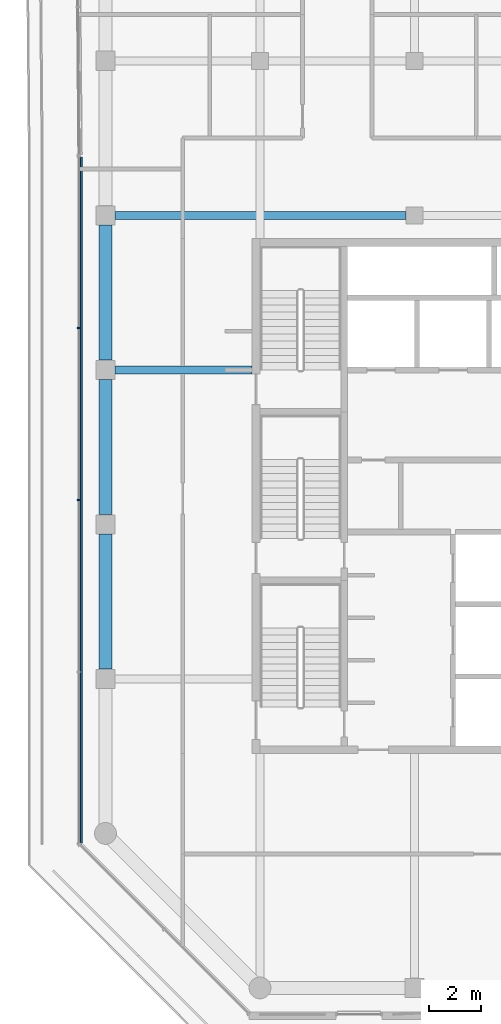
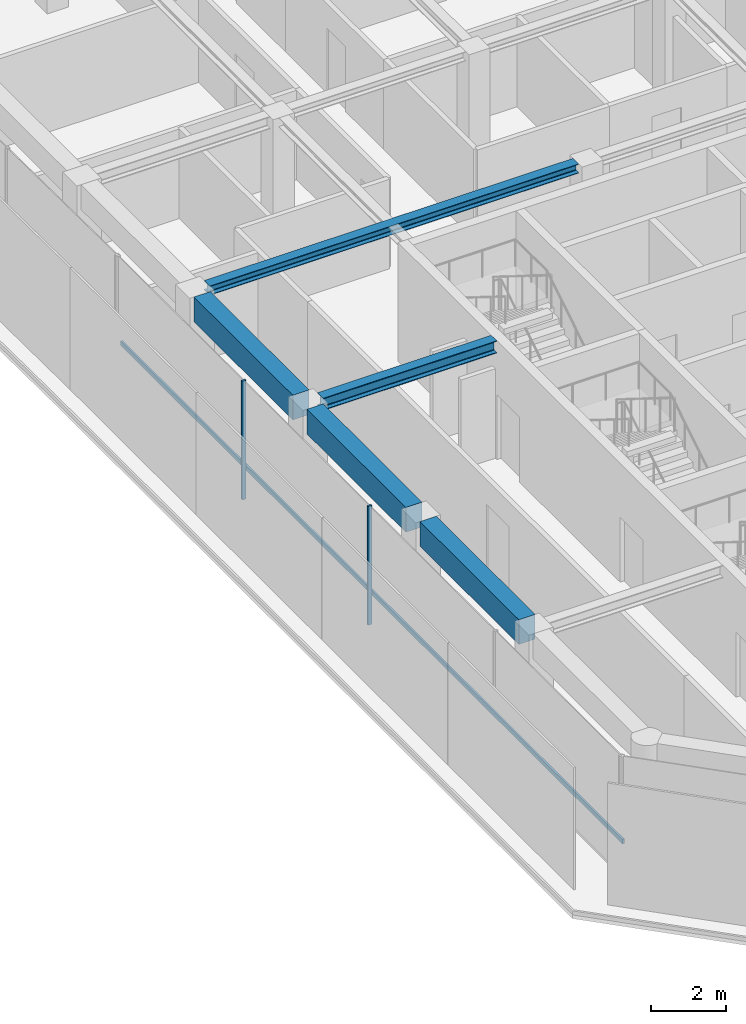
# One storey, part 4 of 18: 5 beams, 3 members, 1 element without a shape of its own.
"""IFC4 building model written with IfcOpenShell, lengths in metres."""

from ifc_helpers import new_model, si_unit, direction, frame, origin, origin_2d, place, context, subcontext, project, spatial, rectangle, i_section, extrude, material, layer, layer_set, material_profile, profile_set, type_object, element, aggregate, save


model = new_model("IFC4")

# Units and contexts
model_context = context("Model", 3, precision=1e-05, world=origin(), true_north=direction((0.0, 1.0)))
body_context = subcontext(model_context, "Body", "Model", "MODEL_VIEW")
ifc_project = project(units=[si_unit("LENGTHUNIT", "METRE"), si_unit("AREAUNIT", "SQUARE_METRE"), si_unit("VOLUMEUNIT", "CUBIC_METRE"), si_unit("PLANEANGLEUNIT", "RADIAN"), si_unit("MASSUNIT", "GRAM", prefix="KILO")], contexts=[model_context])

# Site, building, storey
site_placement = place(None, origin())
site = spatial("IfcSite", under=ifc_project, at=site_placement, CompositionType="ELEMENT")
building_placement = place(site_placement, origin())
building = spatial("IfcBuilding", under=site, at=building_placement, Name="Welwitschia Terrace Campus", CompositionType="ELEMENT")
storey_placement = place(building_placement, frame((0.0, 0.0, 289.39990234375)))
storey = spatial("IfcBuildingStorey", under=building, at=storey_placement, Name="L64", CompositionType="ELEMENT", Elevation=289.39990234375)

# Beam
ifc_material_1 = material(Name="Steel S355", Category="steel")
ifc_material_profile_1 = material_profile(ifc_material_1, i_section(OverallWidth=0.300048828125, OverallDepth=0.300048828125, WebThickness=0.010986328125, FlangeThickness=0.01904296875, FilletRadius=0.027099609375, at=origin_2d()))
ifc_profile_set_1 = profile_set([ifc_material_profile_1], Name="Steel S355")
beam_type_1 = type_object("IfcBeamType", Name="Interior girder HE 300 B", PredefinedType="BEAM", material=ifc_profile_set_1)
beam_1_placement = place(storey_placement, frame((0.365478515625, 26.0, 3.7001953125), z_axis=(1.0, 0.0, 0.0), x_axis=(0.0, 1.0, 0.0)))
element("IfcBeam", 1, at=beam_1_placement, inside=storey, type_object=beam_type_1, Name="Girder GB6", PredefinedType="BEAM", context=body_context, shape_type="SweptSolid", body=[
    extrude(i_section(OverallWidth=0.300048828125, OverallDepth=0.300048828125, WebThickness=0.010986328125, FlangeThickness=0.01904296875, FilletRadius=0.027099609375, at=origin_2d()), origin(), (0.0, 0.0, 1.0), 11.30908203125),
])

# Curtain wall, members
ifc_material_2 = material(Name="Bronze anodised aluminium", Category="aluminium")
ifc_layer = layer(ifc_material_2, 0.1201171875)
ifc_layer_set = layer_set([ifc_layer], Name="Bronze anodised aluminium")
curtain_wall_type = type_object("IfcCurtainWallType", Name="Curtain wall CW2 tower 6000", PredefinedType="NOTDEFINED", material=ifc_layer_set)
curtain_wall_placement = place(storey_placement, origin())
curtain_wall = element("IfcCurtainWall", 2, at=curtain_wall_placement, inside=storey, type_object=curtain_wall_type, Name="CW L64.1.0", PredefinedType="NOTDEFINED")
ifc_material_3 = material(Name="Bronze anodised aluminium", Category="aluminium")
ifc_material_profile_2 = material_profile(ifc_material_3, rectangle(XDim=0.1201171875, YDim=0.06005859375, at=origin_2d()))
ifc_profile_set_2 = profile_set([ifc_material_profile_2], Name="Bronze anodised aluminium")
member_type_1 = type_object("IfcMemberType", Name="Mullion 60x120", PredefinedType="MULLION", material=ifc_profile_set_2)
member_1_placement = place(storey_placement, frame((-1.030029296875, 21.63525390625, 0.0), z_axis=(0.0, 0.0, 1.0), x_axis=(1.0, 0.0, 0.0)))
member_1 = element("IfcMember", 3, at=member_1_placement, type_object=member_type_1, Name="Mullion L64.1.0.1", PredefinedType="MULLION", context=body_context, shape_type="SweptSolid", body=[
    extrude(rectangle(XDim=0.1201171875, YDim=0.06005859375, at=origin_2d()), origin(), (0.0, 0.0, 1.0), 3.85009765625),
])
member_2_placement = place(storey_placement, frame((-1.030029296875, 14.947998046875, 0.0), z_axis=(0.0, 0.0, 1.0), x_axis=(1.0, 0.0, 0.0)))
member_2 = element("IfcMember", 4, at=member_2_placement, type_object=member_type_1, Name="Mullion L64.1.0.2", PredefinedType="MULLION", context=body_context, shape_type="SweptSolid", body=[
    extrude(rectangle(XDim=0.1201171875, YDim=0.06005859375, at=origin_2d()), origin(), (0.0, 0.0, 1.0), 3.85009765625),
])

# Beams
ifc_material_4 = material(Name="Steel S355", Category="steel")
ifc_material_profile_3 = material_profile(ifc_material_4, i_section(OverallWidth=0.300048828125, OverallDepth=0.39990234375, WebThickness=0.013427734375, FlangeThickness=0.02392578125, FilletRadius=0.027099609375, at=origin_2d()))
ifc_profile_set_3 = profile_set([ifc_material_profile_3], Name="Steel S355")
beam_type_2 = type_object("IfcBeamType", Name="Primary beam HE 400 B", PredefinedType="BEAM", material=ifc_profile_set_3)
beam_2_placement = place(storey_placement, frame((0.37548828125, 20.0, 3.650146484375), z_axis=(1.0, 0.0, 0.0), x_axis=(0.0, 1.0, 0.0)))
element("IfcBeam", 5, at=beam_2_placement, inside=storey, type_object=beam_type_2, Name="Primary beam PB6", PredefinedType="BEAM", context=body_context, shape_type="SweptSolid", body=[
    extrude(i_section(OverallWidth=0.300048828125, OverallDepth=0.39990234375, WebThickness=0.013427734375, FlangeThickness=0.02392578125, FilletRadius=0.027099609375, at=origin_2d()), origin(), (0.0, 0.0, 1.0), 5.324462890625),
])
ifc_material_5 = material(Name="Concrete C50/60", Category="concrete")
ifc_material_profile_4 = material_profile(ifc_material_5, rectangle(XDim=0.5, YDim=0.800048828125, at=origin_2d()))
ifc_profile_set_4 = profile_set([ifc_material_profile_4], Name="Concrete C50/60")
beam_type_3 = type_object("IfcBeamType", Name="Ring spandrel 500x800", PredefinedType="SPANDREL", material=ifc_profile_set_4)
for number, where, z_axis, x_axis, name in (
    (6, (0.0, 25.62451171875, 3.4501953125), (0.0, -1.0, 0.0), (1.0, 0.0, 0.0), "Spandrel SP4"),
    (7, (0.0, 19.62451171875, 3.4501953125), (0.0, -1.0, 0.0), (1.0, 0.0, 0.0), "Spandrel SP4"),
    (8, (0.0, 13.62451171875, 3.4501953125), (0.0, -1.0, 0.0), (1.0, 0.0, 0.0), "Spandrel SP4"),
):
    element("IfcBeam", number, at=place(storey_placement, frame(where, z_axis=z_axis, x_axis=x_axis)), inside=storey, type_object=beam_type_3, Name=name, PredefinedType="SPANDREL", context=body_context, shape_type="SweptSolid", body=[
        extrude(rectangle(XDim=0.5, YDim=0.800048828125, at=origin_2d()), origin(), (0.0, 0.0, 1.0), 5.2490234375),
    ])

# Member
ifc_material_6 = material(Name="Bronze anodised aluminium", Category="aluminium")
ifc_material_profile_5 = material_profile(ifc_material_6, rectangle(XDim=0.06005859375, YDim=0.14990234375, at=origin_2d()))
ifc_profile_set_5 = profile_set([ifc_material_profile_5], Name="Bronze anodised aluminium")
member_type_2 = type_object("IfcMemberType", Name="Transom 60x150", PredefinedType="USERDEFINED", material=ifc_profile_set_5)
member_3_placement = place(storey_placement, frame((-0.93994140625, 28.2626953125, 1.0), z_axis=(0.0, -1.0, 0.0), x_axis=(1.0, 0.0, 0.0)))
member_3 = element("IfcMember", 9, at=member_3_placement, type_object=member_type_2, Name="Transom L64.1.0", ObjectType="TRANSOM", PredefinedType="USERDEFINED", context=body_context, shape_type="SweptSolid", body=[
    extrude(rectangle(XDim=0.06005859375, YDim=0.14990234375, at=origin_2d()), origin(), (0.0, 0.0, 1.0), 26.62939453125),
])

aggregate(curtain_wall, [member_1, member_2, member_3])

save(model, "model.ifc")
